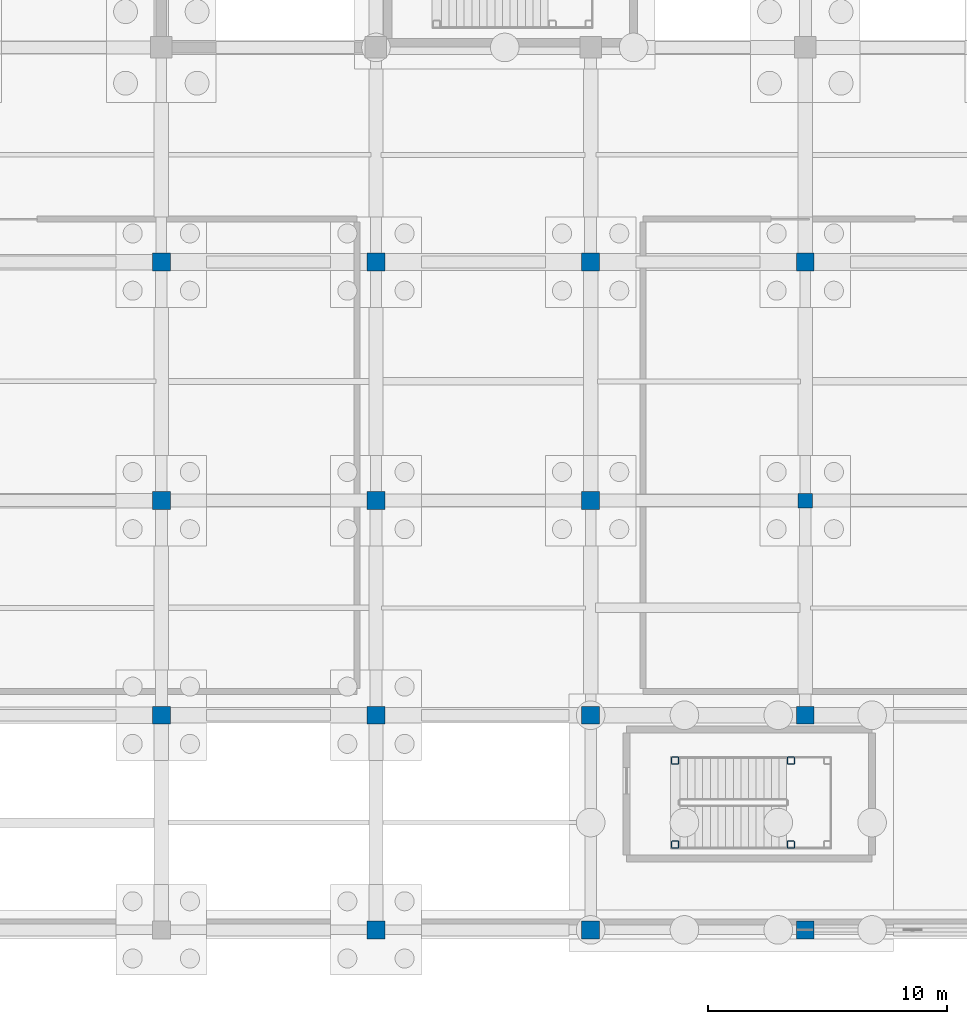
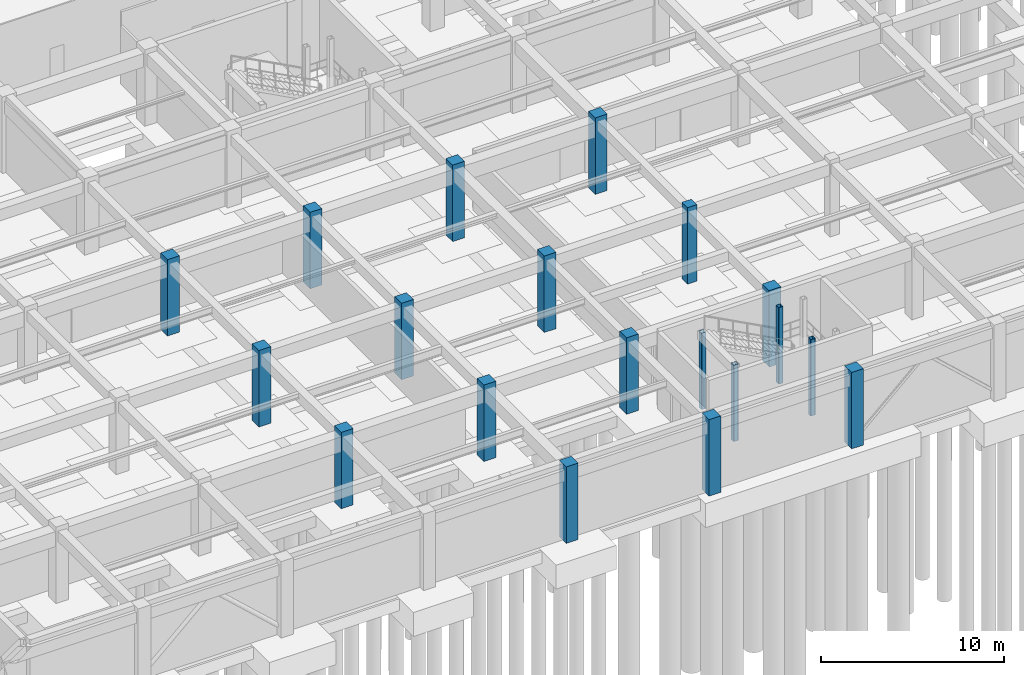
# One storey, part 16 of 62: 19 columns.
"""IFC4 building model written with IfcOpenShell, lengths in metres."""

from ifc_helpers import new_model, si_unit, direction, frame, origin, origin_2d, place, context, subcontext, project, spatial, rectangle, hollow_rectangle, extrude, material, material_profile, profile_set, type_object, element, save


model = new_model("IFC4")

# Units and contexts
model_context = context("Model", 3, precision=1e-05, world=origin(), true_north=direction((0.0, 1.0)))
body_context = subcontext(model_context, "Body", "Model", "MODEL_VIEW")
ifc_project = project(units=[si_unit("LENGTHUNIT", "METRE"), si_unit("AREAUNIT", "SQUARE_METRE"), si_unit("VOLUMEUNIT", "CUBIC_METRE"), si_unit("PLANEANGLEUNIT", "RADIAN"), si_unit("MASSUNIT", "GRAM", prefix="KILO")], contexts=[model_context])

# Site, building, storey
site_placement = place(None, origin())
site = spatial("IfcSite", under=ifc_project, at=site_placement, CompositionType="ELEMENT")
building_placement = place(site_placement, origin())
building = spatial("IfcBuilding", under=site, at=building_placement, Name="Miravela Opera House", CompositionType="ELEMENT")
storey_placement = place(building_placement, frame((0.0, 0.0, -5.10009765625)))
storey = spatial("IfcBuildingStorey", under=building, at=storey_placement, Name="B01", CompositionType="ELEMENT", Elevation=-5.10009765625)

# Columns
ifc_material_1 = material(Name="Hollow structural steel ASTM A500 Gr. C", Category="steel")
ifc_material_profile_1 = material_profile(ifc_material_1, hollow_rectangle(XDim=0.300048828125, YDim=0.300048828125, WallThickness=0.01611328125, InnerFilletRadius=0.01611328125, OuterFilletRadius=0.031982421875, at=origin_2d()), Name="HSS300X300X16")
ifc_profile_set_1 = profile_set([ifc_material_profile_1])
column_type_1 = type_object("IfcColumnType", Name="STR-COL-HSS300", PredefinedType="COLUMN", material=ifc_profile_set_1)
for number, where, z_axis, x_axis, name in (
    (1, (120.5400390625, 3.580078125, 0.0), (0.0, 0.0, 1.0), (1.0, 0.0, 0.0), "Stair ST-10 Landing Support Column 1 (B01)"),
    (2, (120.5400390625, 7.10009765625, 0.0), (0.0, 0.0, 1.0), (1.0, 0.0, 0.0), "Stair ST-10 Landing Support Column 2 (B01)"),
    (3, (125.39990234375, 3.580078125, 0.0), (0.0, 0.0, 1.0), (1.0, 0.0, 0.0), "Stair ST-10 Landing Support Column 3 (B01)"),
    (4, (125.39990234375, 7.10009765625, 0.0), (0.0, 0.0, 1.0), (1.0, 0.0, 0.0), "Stair ST-10 Landing Support Column 4 (B01)"),
):
    element("IfcColumn", number, at=place(storey_placement, frame(where, z_axis=z_axis, x_axis=x_axis)), inside=storey, type_object=column_type_1, Name=name, PredefinedType="COLUMN", context=body_context, shape_type="SweptSolid", body=[
        extrude(hollow_rectangle(XDim=0.300048828125, YDim=0.300048828125, WallThickness=0.01611328125, InnerFilletRadius=0.01611328125, OuterFilletRadius=0.031982421875, at=origin_2d()), origin(), (0.0, 0.0, 1.0), 5.10009765625),
    ])
ifc_material_2 = material(Name="Concrete C35/45", Category="concrete")
ifc_material_profile_2 = material_profile(ifc_material_2, rectangle(XDim=0.60009765625, YDim=0.60009765625, at=origin_2d()), Name="RC-COL-600X600")
ifc_profile_set_2 = profile_set([ifc_material_profile_2])
column_type_2 = type_object("IfcColumnType", Name="STR-COL-RC600", PredefinedType="COLUMN", material=ifc_profile_set_2)
column_placement = place(storey_placement, frame((126.0, 18.0, 0.0), z_axis=(0.0, 0.0, 1.0), x_axis=(1.0, 0.0, 0.0)))
element("IfcColumn", 5, at=column_placement, inside=storey, type_object=column_type_2, Name="Column C-15C (B01)", PredefinedType="COLUMN", context=body_context, shape_type="SweptSolid", body=[
    extrude(rectangle(XDim=0.60009765625, YDim=0.60009765625, at=origin_2d()), origin(), (0.0, 0.0, 1.0), 5.10009765625),
])
ifc_material_profile_3 = material_profile(ifc_material_2, rectangle(XDim=0.75, YDim=0.75, at=origin_2d()), Name="RC-COL-750X750")
ifc_profile_set_3 = profile_set([ifc_material_profile_3])
column_type_3 = type_object("IfcColumnType", Name="STR-COL-RC750", PredefinedType="COLUMN", material=ifc_profile_set_3)
for number, where, z_axis, x_axis, name in (
    (6, (99.0, 9.0, 0.0), (0.0, 0.0, 1.0), (1.0, 0.0, 0.0), "Column C-12B (B01)"),
    (7, (99.0, 18.0, 0.0), (0.0, 0.0, 1.0), (1.0, 0.0, 0.0), "Column C-12C (B01)"),
    (8, (99.0, 28.0, 0.0), (0.0, 0.0, 1.0), (1.0, 0.0, 0.0), "Column C-12D (B01)"),
    (9, (108.0, 0.0, 0.0), (0.0, 0.0, 1.0), (1.0, 0.0, 0.0), "Column C-13A (B01)"),
    (10, (108.0, 9.0, 0.0), (0.0, 0.0, 1.0), (1.0, 0.0, 0.0), "Column C-13B (B01)"),
    (11, (108.0, 18.0, 0.0), (0.0, 0.0, 1.0), (1.0, 0.0, 0.0), "Column C-13C (B01)"),
    (12, (108.0, 28.0, 0.0), (0.0, 0.0, 1.0), (1.0, 0.0, 0.0), "Column C-13D (B01)"),
    (13, (117.0, 0.0, 0.0), (0.0, 0.0, 1.0), (1.0, 0.0, 0.0), "Column C-14A (B01)"),
    (14, (117.0, 9.0, 0.0), (0.0, 0.0, 1.0), (1.0, 0.0, 0.0), "Column C-14B (B01)"),
    (15, (117.0, 18.0, 0.0), (0.0, 0.0, 1.0), (1.0, 0.0, 0.0), "Column C-14C (B01)"),
    (16, (117.0, 28.0, 0.0), (0.0, 0.0, 1.0), (1.0, 0.0, 0.0), "Column C-14D (B01)"),
    (17, (126.0, 0.0, 0.0), (0.0, 0.0, 1.0), (1.0, 0.0, 0.0), "Column C-15A (B01)"),
    (18, (126.0, 9.0, 0.0), (0.0, 0.0, 1.0), (1.0, 0.0, 0.0), "Column C-15B (B01)"),
    (19, (126.0, 28.0, 0.0), (0.0, 0.0, 1.0), (1.0, 0.0, 0.0), "Column C-15D (B01)"),
):
    element("IfcColumn", number, at=place(storey_placement, frame(where, z_axis=z_axis, x_axis=x_axis)), inside=storey, type_object=column_type_3, Name=name, PredefinedType="COLUMN", context=body_context, shape_type="SweptSolid", body=[
        extrude(rectangle(XDim=0.75, YDim=0.75, at=origin_2d()), origin(), (0.0, 0.0, 1.0), 5.10009765625),
    ])

save(model, "model.ifc")
